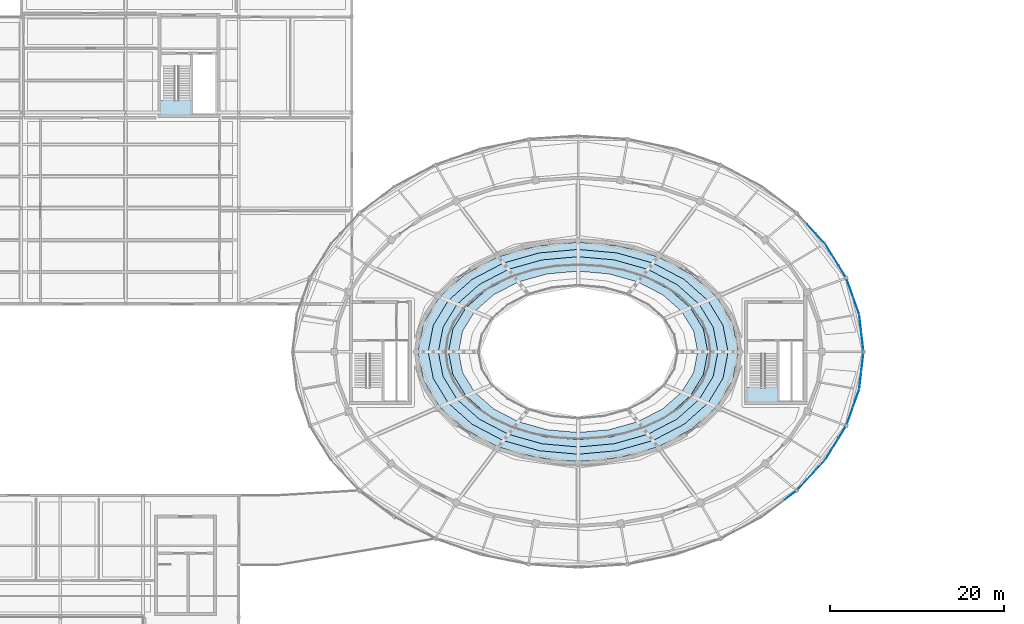
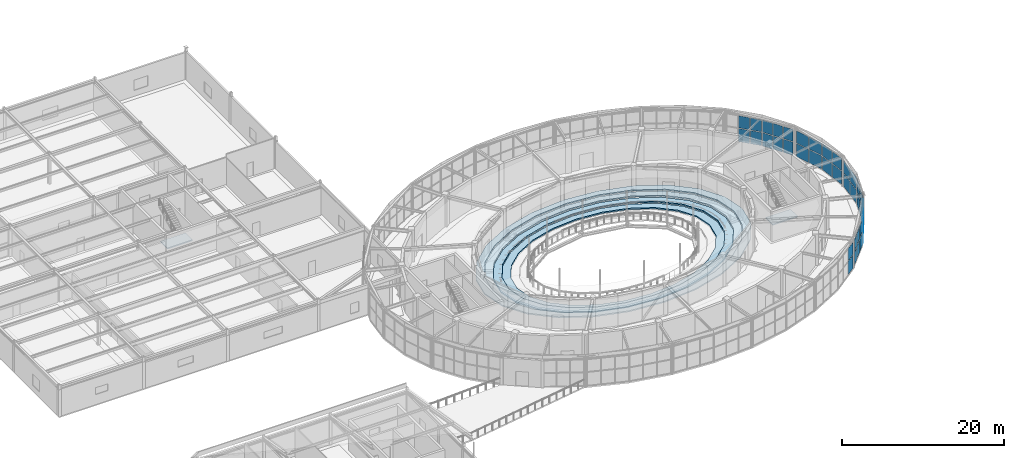
# One storey, part 81 of 108: 40 plates, 6 slabs, 11 elements without a shape of their own.
"""IFC4 building model written with IfcOpenShell, lengths in metres."""

from ifc_helpers import new_model, si_unit, direction, frame, origin, origin_2d, place, context, subcontext, project, spatial, polyline, rectangle, outline, extrude, material, layer, layer_set, type_object, element, aggregate, save


model = new_model("IFC4")

# Units and contexts
model_context = context("Model", 3, precision=1e-05, world=origin(), true_north=direction((0.0, 1.0)))
body_context = subcontext(model_context, "Body", "Model", "MODEL_VIEW")
ifc_project = project(units=[si_unit("LENGTHUNIT", "METRE"), si_unit("AREAUNIT", "SQUARE_METRE"), si_unit("VOLUMEUNIT", "CUBIC_METRE"), si_unit("PLANEANGLEUNIT", "RADIAN"), si_unit("MASSUNIT", "GRAM", prefix="KILO")], contexts=[model_context])

# Site, building, storey
site_placement = place(None, origin())
site = spatial("IfcSite", under=ifc_project, at=site_placement, CompositionType="ELEMENT")
building_placement = place(site_placement, origin())
building = spatial("IfcBuilding", under=site, at=building_placement, Name="Tarnveldt Headland Concert Hall", CompositionType="ELEMENT")
storey_placement = place(building_placement, frame((0.0, 0.0, 9.60009765625)))
storey = spatial("IfcBuildingStorey", under=building, at=storey_placement, Name="L02", CompositionType="ELEMENT", Elevation=9.60009765625)

# Curtain wall, plates
ifc_material_1 = material(Name="Marine-anodised aluminium EN AW-6063-T6", Category="aluminium")
curtain_wall_type = type_object("IfcCurtainWallType", Name="CW-F3", PredefinedType="NOTDEFINED", material=ifc_material_1)
curtain_wall_1_placement = place(storey_placement, origin())
curtain_wall_1 = element("IfcCurtainWall", 1, at=curtain_wall_1_placement, inside=storey, type_object=curtain_wall_type, Name="Curtain wall CW-L02-060", PredefinedType="NOTDEFINED")
ifc_material_2 = material(Name="Acoustic laminated low-iron double glazing", Category="glass")
ifc_layer_1 = layer(ifc_material_2, 0.028076171875, Name="Acoustic laminated low-iron double glazing", Category="glass")
ifc_layer_set_1 = layer_set([ifc_layer_1], Name="Acoustic laminated low-iron double glazing")
plate_type = type_object("IfcPlateType", Name="PN-F3", PredefinedType="CURTAIN_PANEL", material=ifc_layer_set_1)
plate_1_placement = place(storey_placement, frame((116.1591796875, 55.71728515625, 0.09228515625), z_axis=(0.0, 0.0, 1.0), x_axis=(-0.114937150493, 0.9933727656, 0.0)))
plate_1 = element("IfcPlate", 2, at=plate_1_placement, type_object=plate_type, Name="Glazed panel CW-L02-060-1-1", PredefinedType="CURTAIN_PANEL", context=body_context, shape_type="SweptSolid", body=[
    extrude(rectangle(XDim=1.937744140625, YDim=0.028076171875, at=origin_2d()), origin(), (0.0, 0.0, 1.0), 2.001220703125),
])
plate_2_placement = place(storey_placement, frame((116.1591796875, 55.71728515625, 2.178466796875), z_axis=(0.0, 0.0, 1.0), x_axis=(-0.114937150493, 0.9933727656, 0.0)))
plate_2 = element("IfcPlate", 3, at=plate_2_placement, type_object=plate_type, Name="Glazed panel CW-L02-060-1-2", PredefinedType="CURTAIN_PANEL", context=body_context, shape_type="SweptSolid", body=[
    extrude(rectangle(XDim=1.937744140625, YDim=0.028076171875, at=origin_2d()), origin(), (0.0, 0.0, 1.0), 1.8369140625),
])
plate_3_placement = place(storey_placement, frame((115.923828125, 57.750244140625, 0.09228515625), z_axis=(0.0, 0.0, 1.0), x_axis=(-0.114937150493, 0.9933727656, 0.0)))
plate_3 = element("IfcPlate", 4, at=plate_3_placement, type_object=plate_type, Name="Glazed panel CW-L02-060-2-1", PredefinedType="CURTAIN_PANEL", context=body_context, shape_type="SweptSolid", body=[
    extrude(rectangle(XDim=1.937744140625, YDim=0.028076171875, at=origin_2d()), origin(), (0.0, 0.0, 1.0), 2.001220703125),
])
plate_4_placement = place(storey_placement, frame((115.923828125, 57.750244140625, 2.178466796875), z_axis=(0.0, 0.0, 1.0), x_axis=(-0.114937150493, 0.9933727656, 0.0)))
plate_4 = element("IfcPlate", 5, at=plate_4_placement, type_object=plate_type, Name="Glazed panel CW-L02-060-2-2", PredefinedType="CURTAIN_PANEL", context=body_context, shape_type="SweptSolid", body=[
    extrude(rectangle(XDim=1.937744140625, YDim=0.028076171875, at=origin_2d()), origin(), (0.0, 0.0, 1.0), 1.8369140625),
])
aggregate(curtain_wall_1, [plate_1, plate_2, plate_3, plate_4])

curtain_wall_2_placement = place(storey_placement, origin())
curtain_wall_2 = element("IfcCurtainWall", 6, at=curtain_wall_2_placement, inside=storey, type_object=curtain_wall_type, Name="Curtain wall CW-L02-061", PredefinedType="NOTDEFINED")
plate_5_placement = place(storey_placement, frame((115.438720703125, 59.8310546875, 0.09228515625), z_axis=(0.0, 0.0, 1.0), x_axis=(-0.33402072921, 0.942565728455, 0.0)))
plate_5 = element("IfcPlate", 7, at=plate_5_placement, type_object=plate_type, Name="Glazed panel CW-L02-061-1-1", PredefinedType="CURTAIN_PANEL", context=body_context, shape_type="SweptSolid", body=[
    extrude(rectangle(XDim=1.985107421875, YDim=0.028076171875, at=origin_2d()), origin(), (0.0, 0.0, 1.0), 2.001220703125),
])
plate_6_placement = place(storey_placement, frame((115.438720703125, 59.8310546875, 2.178466796875), z_axis=(0.0, 0.0, 1.0), x_axis=(-0.33402072921, 0.942565728455, 0.0)))
plate_6 = element("IfcPlate", 8, at=plate_6_placement, type_object=plate_type, Name="Glazed panel CW-L02-061-1-2", PredefinedType="CURTAIN_PANEL", context=body_context, shape_type="SweptSolid", body=[
    extrude(rectangle(XDim=1.985107421875, YDim=0.028076171875, at=origin_2d()), origin(), (0.0, 0.0, 1.0), 1.8369140625),
])
plate_7_placement = place(storey_placement, frame((114.739013671875, 61.8046875, 0.09228515625), z_axis=(0.0, 0.0, 1.0), x_axis=(-0.33402072921, 0.942565728455, 0.0)))
plate_7 = element("IfcPlate", 9, at=plate_7_placement, type_object=plate_type, Name="Glazed panel CW-L02-061-2-1", PredefinedType="CURTAIN_PANEL", context=body_context, shape_type="SweptSolid", body=[
    extrude(rectangle(XDim=1.985107421875, YDim=0.028076171875, at=origin_2d()), origin(), (0.0, 0.0, 1.0), 2.001220703125),
])
plate_8_placement = place(storey_placement, frame((114.739013671875, 61.8046875, 2.178466796875), z_axis=(0.0, 0.0, 1.0), x_axis=(-0.33402072921, 0.942565728455, 0.0)))
plate_8 = element("IfcPlate", 10, at=plate_8_placement, type_object=plate_type, Name="Glazed panel CW-L02-061-2-2", PredefinedType="CURTAIN_PANEL", context=body_context, shape_type="SweptSolid", body=[
    extrude(rectangle(XDim=1.985107421875, YDim=0.028076171875, at=origin_2d()), origin(), (0.0, 0.0, 1.0), 1.8369140625),
])
aggregate(curtain_wall_2, [plate_5, plate_6, plate_7, plate_8])

curtain_wall_3_placement = place(storey_placement, origin())
curtain_wall_3 = element("IfcCurtainWall", 11, at=curtain_wall_3_placement, inside=storey, type_object=curtain_wall_type, Name="Curtain wall CW-L02-062", PredefinedType="NOTDEFINED")
plate_9_placement = place(storey_placement, frame((113.83447265625, 63.772705078125, 0.09228515625), z_axis=(0.0, 0.0, 1.0), x_axis=(-0.524922111703, 0.851150266783, 0.0)))
plate_9 = element("IfcPlate", 12, at=plate_9_placement, type_object=plate_type, Name="Glazed panel CW-L02-062-1-1", PredefinedType="CURTAIN_PANEL", context=body_context, shape_type="SweptSolid", body=[
    extrude(rectangle(XDim=1.3447265625, YDim=0.028076171875, at=origin_2d()), origin(), (0.0, 0.0, 1.0), 2.001220703125),
])
plate_10_placement = place(storey_placement, frame((113.83447265625, 63.772705078125, 2.178466796875), z_axis=(0.0, 0.0, 1.0), x_axis=(-0.524922111703, 0.851150266783, 0.0)))
plate_10 = element("IfcPlate", 13, at=plate_10_placement, type_object=plate_type, Name="Glazed panel CW-L02-062-1-2", PredefinedType="CURTAIN_PANEL", context=body_context, shape_type="SweptSolid", body=[
    extrude(rectangle(XDim=1.3447265625, YDim=0.028076171875, at=origin_2d()), origin(), (0.0, 0.0, 1.0), 1.8369140625),
])
plate_11_placement = place(storey_placement, frame((113.0712890625, 65.010009765625, 0.09228515625), z_axis=(0.0, 0.0, 1.0), x_axis=(-0.524922111703, 0.851150266783, 0.0)))
plate_11 = element("IfcPlate", 14, at=plate_11_placement, type_object=plate_type, Name="Glazed panel CW-L02-062-2-1", PredefinedType="CURTAIN_PANEL", context=body_context, shape_type="SweptSolid", body=[
    extrude(rectangle(XDim=1.3447265625, YDim=0.028076171875, at=origin_2d()), origin(), (0.0, 0.0, 1.0), 2.001220703125),
])
plate_12_placement = place(storey_placement, frame((113.0712890625, 65.010009765625, 2.178466796875), z_axis=(0.0, 0.0, 1.0), x_axis=(-0.524922111703, 0.851150266783, 0.0)))
plate_12 = element("IfcPlate", 15, at=plate_12_placement, type_object=plate_type, Name="Glazed panel CW-L02-062-2-2", PredefinedType="CURTAIN_PANEL", context=body_context, shape_type="SweptSolid", body=[
    extrude(rectangle(XDim=1.3447265625, YDim=0.028076171875, at=origin_2d()), origin(), (0.0, 0.0, 1.0), 1.8369140625),
])
plate_13_placement = place(storey_placement, frame((112.30810546875, 66.247314453125, 0.09228515625), z_axis=(0.0, 0.0, 1.0), x_axis=(-0.524922111703, 0.851150266783, 0.0)))
plate_13 = element("IfcPlate", 16, at=plate_13_placement, type_object=plate_type, Name="Glazed panel CW-L02-062-3-1", PredefinedType="CURTAIN_PANEL", context=body_context, shape_type="SweptSolid", body=[
    extrude(rectangle(XDim=1.3447265625, YDim=0.028076171875, at=origin_2d()), origin(), (0.0, 0.0, 1.0), 2.001220703125),
])
plate_14_placement = place(storey_placement, frame((112.30810546875, 66.247314453125, 2.178466796875), z_axis=(0.0, 0.0, 1.0), x_axis=(-0.524922111703, 0.851150266783, 0.0)))
plate_14 = element("IfcPlate", 17, at=plate_14_placement, type_object=plate_type, Name="Glazed panel CW-L02-062-3-2", PredefinedType="CURTAIN_PANEL", context=body_context, shape_type="SweptSolid", body=[
    extrude(rectangle(XDim=1.3447265625, YDim=0.028076171875, at=origin_2d()), origin(), (0.0, 0.0, 1.0), 1.8369140625),
])
aggregate(curtain_wall_3, [plate_9, plate_10, plate_11, plate_12, plate_13, plate_14])

curtain_wall_4_placement = place(storey_placement, origin())
curtain_wall_4 = element("IfcCurtainWall", 18, at=curtain_wall_4_placement, inside=storey, type_object=curtain_wall_type, Name="Curtain wall CW-L02-063", PredefinedType="NOTDEFINED")
plate_15_placement = place(storey_placement, frame((111.359375, 67.489990234375, 0.09228515625), z_axis=(0.0, 0.0, 1.0), x_axis=(-0.679466915851, 0.73370614708, 0.0)))
plate_15 = element("IfcPlate", 19, at=plate_15_placement, type_object=plate_type, Name="Glazed panel CW-L02-063-1-1", PredefinedType="CURTAIN_PANEL", context=body_context, shape_type="SweptSolid", body=[
    extrude(rectangle(XDim=1.419189453125, YDim=0.028076171875, at=origin_2d()), origin(), (0.0, 0.0, 1.0), 2.001220703125),
])
plate_16_placement = place(storey_placement, frame((111.359375, 67.489990234375, 2.178466796875), z_axis=(0.0, 0.0, 1.0), x_axis=(-0.679466915851, 0.73370614708, 0.0)))
plate_16 = element("IfcPlate", 20, at=plate_16_placement, type_object=plate_type, Name="Glazed panel CW-L02-063-1-2", PredefinedType="CURTAIN_PANEL", context=body_context, shape_type="SweptSolid", body=[
    extrude(rectangle(XDim=1.419189453125, YDim=0.028076171875, at=origin_2d()), origin(), (0.0, 0.0, 1.0), 1.8369140625),
])
plate_17_placement = place(storey_placement, frame((110.32080078125, 68.611083984375, 0.09228515625), z_axis=(0.0, 0.0, 1.0), x_axis=(-0.679466915851, 0.73370614708, 0.0)))
plate_17 = element("IfcPlate", 21, at=plate_17_placement, type_object=plate_type, Name="Glazed panel CW-L02-063-2-1", PredefinedType="CURTAIN_PANEL", context=body_context, shape_type="SweptSolid", body=[
    extrude(rectangle(XDim=1.419189453125, YDim=0.028076171875, at=origin_2d()), origin(), (0.0, 0.0, 1.0), 2.001220703125),
])
plate_18_placement = place(storey_placement, frame((110.32080078125, 68.611083984375, 2.178466796875), z_axis=(0.0, 0.0, 1.0), x_axis=(-0.679466915851, 0.73370614708, 0.0)))
plate_18 = element("IfcPlate", 22, at=plate_18_placement, type_object=plate_type, Name="Glazed panel CW-L02-063-2-2", PredefinedType="CURTAIN_PANEL", context=body_context, shape_type="SweptSolid", body=[
    extrude(rectangle(XDim=1.419189453125, YDim=0.028076171875, at=origin_2d()), origin(), (0.0, 0.0, 1.0), 1.8369140625),
])
aggregate(curtain_wall_4, [plate_15, plate_16, plate_17, plate_18])

curtain_wall_5_placement = place(storey_placement, origin())
curtain_wall_5 = element("IfcCurtainWall", 23, at=curtain_wall_5_placement, inside=storey, type_object=curtain_wall_type, Name="Curtain wall CW-L02-090", PredefinedType="NOTDEFINED")
plate_19_placement = place(storey_placement, frame((107.823486328125, 37.951904296875, 0.09228515625), z_axis=(0.0, 0.0, 1.0), x_axis=(0.797657618631, 0.603110539984, 0.0)))
plate_19 = element("IfcPlate", 24, at=plate_19_placement, type_object=plate_type, Name="Glazed panel CW-L02-090-3-1", PredefinedType="CURTAIN_PANEL", context=body_context, shape_type="SweptSolid", body=[
    extrude(rectangle(XDim=1.499755859375, YDim=0.028076171875, at=origin_2d()), origin(), (0.0, 0.0, 1.0), 2.001220703125),
])
plate_20_placement = place(storey_placement, frame((107.823486328125, 37.951904296875, 2.178466796875), z_axis=(0.0, 0.0, 1.0), x_axis=(0.797657618631, 0.603110539984, 0.0)))
plate_20 = element("IfcPlate", 25, at=plate_20_placement, type_object=plate_type, Name="Glazed panel CW-L02-090-3-2", PredefinedType="CURTAIN_PANEL", context=body_context, shape_type="SweptSolid", body=[
    extrude(rectangle(XDim=1.499755859375, YDim=0.028076171875, at=origin_2d()), origin(), (0.0, 0.0, 1.0), 1.8369140625),
])
aggregate(curtain_wall_5, [plate_19, plate_20])

curtain_wall_6_placement = place(storey_placement, origin())
curtain_wall_6 = element("IfcCurtainWall", 26, at=curtain_wall_6_placement, inside=storey, type_object=curtain_wall_type, Name="Curtain wall CW-L02-091", PredefinedType="NOTDEFINED")
plate_21_placement = place(storey_placement, frame((109.28271484375, 39.267578125, 0.09228515625), z_axis=(0.0, 0.0, 1.0), x_axis=(0.679466915851, 0.73370614708, 0.0)))
plate_21 = element("IfcPlate", 27, at=plate_21_placement, type_object=plate_type, Name="Glazed panel CW-L02-091-1-1", PredefinedType="CURTAIN_PANEL", context=body_context, shape_type="SweptSolid", body=[
    extrude(rectangle(XDim=1.419189453125, YDim=0.028076171875, at=origin_2d()), origin(), (0.0, 0.0, 1.0), 2.001220703125),
])
plate_22_placement = place(storey_placement, frame((109.28271484375, 39.267578125, 2.178466796875), z_axis=(0.0, 0.0, 1.0), x_axis=(0.679466915851, 0.73370614708, 0.0)))
plate_22 = element("IfcPlate", 28, at=plate_22_placement, type_object=plate_type, Name="Glazed panel CW-L02-091-1-2", PredefinedType="CURTAIN_PANEL", context=body_context, shape_type="SweptSolid", body=[
    extrude(rectangle(XDim=1.419189453125, YDim=0.028076171875, at=origin_2d()), origin(), (0.0, 0.0, 1.0), 1.8369140625),
])
plate_23_placement = place(storey_placement, frame((110.32080078125, 40.388916015625, 0.09228515625), z_axis=(0.0, 0.0, 1.0), x_axis=(0.679466915851, 0.73370614708, 0.0)))
plate_23 = element("IfcPlate", 29, at=plate_23_placement, type_object=plate_type, Name="Glazed panel CW-L02-091-2-1", PredefinedType="CURTAIN_PANEL", context=body_context, shape_type="SweptSolid", body=[
    extrude(rectangle(XDim=1.419189453125, YDim=0.028076171875, at=origin_2d()), origin(), (0.0, 0.0, 1.0), 2.001220703125),
])
plate_24_placement = place(storey_placement, frame((110.32080078125, 40.388916015625, 2.178466796875), z_axis=(0.0, 0.0, 1.0), x_axis=(0.679466915851, 0.73370614708, 0.0)))
plate_24 = element("IfcPlate", 30, at=plate_24_placement, type_object=plate_type, Name="Glazed panel CW-L02-091-2-2", PredefinedType="CURTAIN_PANEL", context=body_context, shape_type="SweptSolid", body=[
    extrude(rectangle(XDim=1.419189453125, YDim=0.028076171875, at=origin_2d()), origin(), (0.0, 0.0, 1.0), 1.8369140625),
])
plate_25_placement = place(storey_placement, frame((111.359375, 41.510009765625, 0.09228515625), z_axis=(0.0, 0.0, 1.0), x_axis=(0.679466915851, 0.73370614708, 0.0)))
plate_25 = element("IfcPlate", 31, at=plate_25_placement, type_object=plate_type, Name="Glazed panel CW-L02-091-3-1", PredefinedType="CURTAIN_PANEL", context=body_context, shape_type="SweptSolid", body=[
    extrude(rectangle(XDim=1.419189453125, YDim=0.028076171875, at=origin_2d()), origin(), (0.0, 0.0, 1.0), 2.001220703125),
])
plate_26_placement = place(storey_placement, frame((111.359375, 41.510009765625, 2.178466796875), z_axis=(0.0, 0.0, 1.0), x_axis=(0.679466915851, 0.73370614708, 0.0)))
plate_26 = element("IfcPlate", 32, at=plate_26_placement, type_object=plate_type, Name="Glazed panel CW-L02-091-3-2", PredefinedType="CURTAIN_PANEL", context=body_context, shape_type="SweptSolid", body=[
    extrude(rectangle(XDim=1.419189453125, YDim=0.028076171875, at=origin_2d()), origin(), (0.0, 0.0, 1.0), 1.8369140625),
])
aggregate(curtain_wall_6, [plate_21, plate_22, plate_23, plate_24, plate_25, plate_26])

curtain_wall_7_placement = place(storey_placement, origin())
curtain_wall_7 = element("IfcCurtainWall", 33, at=curtain_wall_7_placement, inside=storey, type_object=curtain_wall_type, Name="Curtain wall CW-L02-092", PredefinedType="NOTDEFINED")
plate_27_placement = place(storey_placement, frame((112.30810546875, 42.752685546875, 0.09228515625), z_axis=(0.0, 0.0, 1.0), x_axis=(0.524922111703, 0.851150266783, 0.0)))
plate_27 = element("IfcPlate", 34, at=plate_27_placement, type_object=plate_type, Name="Glazed panel CW-L02-092-1-1", PredefinedType="CURTAIN_PANEL", context=body_context, shape_type="SweptSolid", body=[
    extrude(rectangle(XDim=1.3447265625, YDim=0.028076171875, at=origin_2d()), origin(), (0.0, 0.0, 1.0), 2.001220703125),
])
plate_28_placement = place(storey_placement, frame((112.30810546875, 42.752685546875, 2.178466796875), z_axis=(0.0, 0.0, 1.0), x_axis=(0.524922111703, 0.851150266783, 0.0)))
plate_28 = element("IfcPlate", 35, at=plate_28_placement, type_object=plate_type, Name="Glazed panel CW-L02-092-1-2", PredefinedType="CURTAIN_PANEL", context=body_context, shape_type="SweptSolid", body=[
    extrude(rectangle(XDim=1.3447265625, YDim=0.028076171875, at=origin_2d()), origin(), (0.0, 0.0, 1.0), 1.8369140625),
])
plate_29_placement = place(storey_placement, frame((113.0712890625, 43.989990234375, 0.09228515625), z_axis=(0.0, 0.0, 1.0), x_axis=(0.524922111703, 0.851150266783, 0.0)))
plate_29 = element("IfcPlate", 36, at=plate_29_placement, type_object=plate_type, Name="Glazed panel CW-L02-092-2-1", PredefinedType="CURTAIN_PANEL", context=body_context, shape_type="SweptSolid", body=[
    extrude(rectangle(XDim=1.3447265625, YDim=0.028076171875, at=origin_2d()), origin(), (0.0, 0.0, 1.0), 2.001220703125),
])
plate_30_placement = place(storey_placement, frame((113.0712890625, 43.989990234375, 2.178466796875), z_axis=(0.0, 0.0, 1.0), x_axis=(0.524922111703, 0.851150266783, 0.0)))
plate_30 = element("IfcPlate", 37, at=plate_30_placement, type_object=plate_type, Name="Glazed panel CW-L02-092-2-2", PredefinedType="CURTAIN_PANEL", context=body_context, shape_type="SweptSolid", body=[
    extrude(rectangle(XDim=1.3447265625, YDim=0.028076171875, at=origin_2d()), origin(), (0.0, 0.0, 1.0), 1.8369140625),
])
plate_31_placement = place(storey_placement, frame((113.83447265625, 45.227294921875, 0.09228515625), z_axis=(0.0, 0.0, 1.0), x_axis=(0.524922111703, 0.851150266783, 0.0)))
plate_31 = element("IfcPlate", 38, at=plate_31_placement, type_object=plate_type, Name="Glazed panel CW-L02-092-3-1", PredefinedType="CURTAIN_PANEL", context=body_context, shape_type="SweptSolid", body=[
    extrude(rectangle(XDim=1.3447265625, YDim=0.028076171875, at=origin_2d()), origin(), (0.0, 0.0, 1.0), 2.001220703125),
])
plate_32_placement = place(storey_placement, frame((113.83447265625, 45.227294921875, 2.178466796875), z_axis=(0.0, 0.0, 1.0), x_axis=(0.524922111703, 0.851150266783, 0.0)))
plate_32 = element("IfcPlate", 39, at=plate_32_placement, type_object=plate_type, Name="Glazed panel CW-L02-092-3-2", PredefinedType="CURTAIN_PANEL", context=body_context, shape_type="SweptSolid", body=[
    extrude(rectangle(XDim=1.3447265625, YDim=0.028076171875, at=origin_2d()), origin(), (0.0, 0.0, 1.0), 1.8369140625),
])
aggregate(curtain_wall_7, [plate_27, plate_28, plate_29, plate_30, plate_31, plate_32])

curtain_wall_8_placement = place(storey_placement, origin())
curtain_wall_8 = element("IfcCurtainWall", 40, at=curtain_wall_8_placement, inside=storey, type_object=curtain_wall_type, Name="Curtain wall CW-L02-093", PredefinedType="NOTDEFINED")
plate_33_placement = place(storey_placement, frame((114.739013671875, 47.1953125, 0.09228515625), z_axis=(0.0, 0.0, 1.0), x_axis=(0.33402072921, 0.942565728455, 0.0)))
plate_33 = element("IfcPlate", 41, at=plate_33_placement, type_object=plate_type, Name="Glazed panel CW-L02-093-1-1", PredefinedType="CURTAIN_PANEL", context=body_context, shape_type="SweptSolid", body=[
    extrude(rectangle(XDim=1.985107421875, YDim=0.028076171875, at=origin_2d()), origin(), (0.0, 0.0, 1.0), 2.001220703125),
])
plate_34_placement = place(storey_placement, frame((114.739013671875, 47.1953125, 2.178466796875), z_axis=(0.0, 0.0, 1.0), x_axis=(0.33402072921, 0.942565728455, 0.0)))
plate_34 = element("IfcPlate", 42, at=plate_34_placement, type_object=plate_type, Name="Glazed panel CW-L02-093-1-2", PredefinedType="CURTAIN_PANEL", context=body_context, shape_type="SweptSolid", body=[
    extrude(rectangle(XDim=1.985107421875, YDim=0.028076171875, at=origin_2d()), origin(), (0.0, 0.0, 1.0), 1.8369140625),
])
plate_35_placement = place(storey_placement, frame((115.438720703125, 49.1689453125, 0.09228515625), z_axis=(0.0, 0.0, 1.0), x_axis=(0.33402072921, 0.942565728455, 0.0)))
plate_35 = element("IfcPlate", 43, at=plate_35_placement, type_object=plate_type, Name="Glazed panel CW-L02-093-2-1", PredefinedType="CURTAIN_PANEL", context=body_context, shape_type="SweptSolid", body=[
    extrude(rectangle(XDim=1.985107421875, YDim=0.028076171875, at=origin_2d()), origin(), (0.0, 0.0, 1.0), 2.001220703125),
])
plate_36_placement = place(storey_placement, frame((115.438720703125, 49.1689453125, 2.178466796875), z_axis=(0.0, 0.0, 1.0), x_axis=(0.33402072921, 0.942565728455, 0.0)))
plate_36 = element("IfcPlate", 44, at=plate_36_placement, type_object=plate_type, Name="Glazed panel CW-L02-093-2-2", PredefinedType="CURTAIN_PANEL", context=body_context, shape_type="SweptSolid", body=[
    extrude(rectangle(XDim=1.985107421875, YDim=0.028076171875, at=origin_2d()), origin(), (0.0, 0.0, 1.0), 1.8369140625),
])
aggregate(curtain_wall_8, [plate_33, plate_34, plate_35, plate_36])

curtain_wall_9_placement = place(storey_placement, origin())
curtain_wall_9 = element("IfcCurtainWall", 45, at=curtain_wall_9_placement, inside=storey, type_object=curtain_wall_type, Name="Curtain wall CW-L02-094", PredefinedType="NOTDEFINED")
plate_37_placement = place(storey_placement, frame((115.923828125, 51.249755859375, 0.09228515625), z_axis=(0.0, 0.0, 1.0), x_axis=(0.114937150493, 0.9933727656, 0.0)))
plate_37 = element("IfcPlate", 46, at=plate_37_placement, type_object=plate_type, Name="Glazed panel CW-L02-094-1-1", PredefinedType="CURTAIN_PANEL", context=body_context, shape_type="SweptSolid", body=[
    extrude(rectangle(XDim=1.937744140625, YDim=0.028076171875, at=origin_2d()), origin(), (0.0, 0.0, 1.0), 2.001220703125),
])
plate_38_placement = place(storey_placement, frame((115.923828125, 51.249755859375, 2.178466796875), z_axis=(0.0, 0.0, 1.0), x_axis=(0.114937150493, 0.9933727656, 0.0)))
plate_38 = element("IfcPlate", 47, at=plate_38_placement, type_object=plate_type, Name="Glazed panel CW-L02-094-1-2", PredefinedType="CURTAIN_PANEL", context=body_context, shape_type="SweptSolid", body=[
    extrude(rectangle(XDim=1.937744140625, YDim=0.028076171875, at=origin_2d()), origin(), (0.0, 0.0, 1.0), 1.8369140625),
])
plate_39_placement = place(storey_placement, frame((116.1591796875, 53.28271484375, 0.09228515625), z_axis=(0.0, 0.0, 1.0), x_axis=(0.114937150493, 0.9933727656, 0.0)))
plate_39 = element("IfcPlate", 48, at=plate_39_placement, type_object=plate_type, Name="Glazed panel CW-L02-094-2-1", PredefinedType="CURTAIN_PANEL", context=body_context, shape_type="SweptSolid", body=[
    extrude(rectangle(XDim=1.937744140625, YDim=0.028076171875, at=origin_2d()), origin(), (0.0, 0.0, 1.0), 2.001220703125),
])
plate_40_placement = place(storey_placement, frame((116.1591796875, 53.28271484375, 2.178466796875), z_axis=(0.0, 0.0, 1.0), x_axis=(0.114937150493, 0.9933727656, 0.0)))
plate_40 = element("IfcPlate", 49, at=plate_40_placement, type_object=plate_type, Name="Glazed panel CW-L02-094-2-2", PredefinedType="CURTAIN_PANEL", context=body_context, shape_type="SweptSolid", body=[
    extrude(rectangle(XDim=1.937744140625, YDim=0.028076171875, at=origin_2d()), origin(), (0.0, 0.0, 1.0), 1.8369140625),
])
aggregate(curtain_wall_9, [plate_37, plate_38, plate_39, plate_40])

# Stair, slab
ifc_material_3 = material(Name="Concrete C40/50", Category="concrete")
stair_type = type_object("IfcStairType", Name="ST-CORE480", PredefinedType="HALF_TURN_STAIR", material=ifc_material_3)
stair_1_placement = place(storey_placement, origin())
stair_1 = element("IfcStair", 50, at=stair_1_placement, inside=storey, type_object=stair_type, Name="Exit stair STR-C2-L02", PredefinedType="HALF_TURN_STAIR")
ifc_layer_2 = layer(ifc_material_3, 0.179931640625, Name="Concrete C40/50", Category="concrete")
ifc_layer_set_2 = layer_set([ifc_layer_2], Name="Concrete C40/50")
slab_type_1 = type_object("IfcSlabType", Name="SL-STLND180", PredefinedType="LANDING", material=ifc_layer_set_2)
slab_1_placement = place(storey_placement, frame((0.0, 0.0, 2.219970703125)))
slab_1 = element("IfcSlab", 51, at=slab_1_placement, type_object=slab_type_1, Name="Stair half-landing STR-C2-L02", PredefinedType="LANDING", context=body_context, shape_type="SweptSolid", body=[
    extrude(outline(polyline([(102.919921875, 48.719970703125), (106.47998046875, 48.719970703125), (106.47998046875, 50.43994140625), (102.919921875, 50.43994140625), (102.919921875, 48.719970703125)])), origin(), (0.0, 0.0, 1.0), 0.179931640625),
])
aggregate(stair_1, [slab_1])

stair_2_placement = place(storey_placement, origin())
stair_2 = element("IfcStair", 52, at=stair_2_placement, inside=storey, type_object=stair_type, Name="Exit stair STR-C6-L02", PredefinedType="HALF_TURN_STAIR")
slab_2_placement = place(storey_placement, frame((0.0, 0.0, 2.219970703125)))
slab_2 = element("IfcSlab", 53, at=slab_2_placement, type_object=slab_type_1, Name="Stair half-landing STR-C6-L02", PredefinedType="LANDING", context=body_context, shape_type="SweptSolid", body=[
    extrude(outline(polyline([(35.52001953125, 81.719970703125), (39.080078125, 81.719970703125), (39.080078125, 83.43994140625), (35.52001953125, 83.43994140625), (35.52001953125, 81.719970703125)])), origin(), (0.0, 0.0, 1.0), 0.179931640625),
])
aggregate(stair_2, [slab_2])

# Slabs
ifc_layer_3 = layer(ifc_material_3, 0.18994140625, Name="Concrete C40/50", Category="concrete")
ifc_layer_set_3 = layer_set([ifc_layer_3], Name="Concrete C40/50")
slab_type_2 = type_object("IfcSlabType", Name="ST-TIER190", PredefinedType="USERDEFINED", material=ifc_layer_set_3)
slab_3_placement = place(storey_placement, frame((0.0, 0.0, 0.64990234375)))
element("IfcSlab", 54, at=slab_3_placement, inside=storey, type_object=slab_type_2, Name="Stand L02 vineyard seating tier 3 vomitory", ObjectType="SEATING TIER", PredefinedType="USERDEFINED", context=body_context, shape_type="SweptSolid", body=[
    extrude(outline(polyline([(98.39990234375, 54.5), (97.892333984375, 57.114013671875), (96.40380859375, 59.550048828125), (94.035888671875, 61.641845703125), (90.949951171875, 63.246826171875), (87.3564453125, 64.255859375), (83.5, 64.60009765625), (79.6435546875, 64.255859375), (76.050048828125, 63.246826171875), (72.964111328125, 61.641845703125), (70.59619140625, 59.550048828125), (69.107666015625, 57.114013671875), (68.60009765625, 54.5), (69.107666015625, 51.885986328125), (70.59619140625, 49.449951171875), (72.964111328125, 47.358154296875), (76.050048828125, 45.753173828125), (79.6435546875, 44.744140625), (83.5, 44.39990234375), (87.3564453125, 44.744140625), (90.949951171875, 45.753173828125), (94.035888671875, 47.358154296875), (96.40380859375, 49.449951171875), (97.892333984375, 51.885986328125), (98.39990234375, 54.5)]), holes=[polyline([(96.765380859375, 52.1015625), (95.393310546875, 49.86669921875), (93.2109375, 47.947509765625), (90.36669921875, 46.474853515625), (87.054443359375, 45.549072265625), (83.5, 45.2333984375), (79.945556640625, 45.549072265625), (76.63330078125, 46.474853515625), (73.7890625, 47.947509765625), (71.606689453125, 49.86669921875), (70.234619140625, 52.1015625), (69.7666015625, 54.5), (70.234619140625, 56.8984375), (71.606689453125, 59.13330078125), (73.7890625, 61.052490234375), (76.63330078125, 62.525146484375), (79.945556640625, 63.450927734375), (83.5, 63.7666015625), (87.054443359375, 63.450927734375), (90.36669921875, 62.525146484375), (93.2109375, 61.052490234375), (95.393310546875, 59.13330078125), (96.765380859375, 56.8984375), (97.2333984375, 54.5), (96.765380859375, 52.1015625)])]), origin(), (0.0, 0.0, 1.0), 0.18994140625),
])
slab_4_placement = place(storey_placement, frame((0.0, 0.0, 0.929931640625)))
element("IfcSlab", 55, at=slab_4_placement, inside=storey, type_object=slab_type_2, Name="Stand L02 vineyard seating tier 4 vomitory", ObjectType="SEATING TIER", PredefinedType="USERDEFINED", context=body_context, shape_type="SweptSolid", body=[
    extrude(outline(polyline([(99.566650390625, 54.5), (99.019287109375, 57.329833984375), (97.4140625, 59.966796875), (94.86083984375, 62.23095703125), (91.533203125, 63.968505859375), (87.658447265625, 65.060791015625), (83.5, 65.433349609375), (79.341552734375, 65.060791015625), (75.466796875, 63.968505859375), (72.13916015625, 62.23095703125), (69.5859375, 59.966796875), (67.980712890625, 57.329833984375), (67.433349609375, 54.5), (67.980712890625, 51.670166015625), (69.5859375, 49.033203125), (72.13916015625, 46.76904296875), (75.466796875, 45.031494140625), (79.341552734375, 43.939208984375), (83.5, 43.566650390625), (87.658447265625, 43.939208984375), (91.533203125, 45.031494140625), (94.86083984375, 46.76904296875), (97.4140625, 49.033203125), (99.019287109375, 51.670166015625), (99.566650390625, 54.5)]), holes=[polyline([(97.892333984375, 51.885986328125), (96.40380859375, 49.449951171875), (94.035888671875, 47.358154296875), (90.949951171875, 45.753173828125), (87.3564453125, 44.744140625), (83.5, 44.39990234375), (79.6435546875, 44.744140625), (76.050048828125, 45.753173828125), (72.964111328125, 47.358154296875), (70.59619140625, 49.449951171875), (69.107666015625, 51.885986328125), (68.60009765625, 54.5), (69.107666015625, 57.114013671875), (70.59619140625, 59.550048828125), (72.964111328125, 61.641845703125), (76.050048828125, 63.246826171875), (79.6435546875, 64.255859375), (83.5, 64.60009765625), (87.3564453125, 64.255859375), (90.949951171875, 63.246826171875), (94.035888671875, 61.641845703125), (96.40380859375, 59.550048828125), (97.892333984375, 57.114013671875), (98.39990234375, 54.5), (97.892333984375, 51.885986328125)])]), origin(), (0.0, 0.0, 1.0), 0.18994140625),
])
slab_5_placement = place(storey_placement, frame((0.0, 0.0, 1.2099609375)))
element("IfcSlab", 56, at=slab_5_placement, inside=storey, type_object=slab_type_2, Name="Stand L02 vineyard seating tier 5 vomitory", ObjectType="SEATING TIER", PredefinedType="USERDEFINED", context=body_context, shape_type="SweptSolid", body=[
    extrude(outline(polyline([(100.7333984375, 54.5), (100.14599609375, 57.54541015625), (98.424560546875, 60.38330078125), (95.685791015625, 62.8203125), (92.11669921875, 64.690185546875), (87.960205078125, 65.86572265625), (83.5, 66.2666015625), (79.039794921875, 65.86572265625), (74.88330078125, 64.690185546875), (71.314208984375, 62.8203125), (68.575439453125, 60.38330078125), (66.85400390625, 57.54541015625), (66.2666015625, 54.5), (66.85400390625, 51.45458984375), (68.575439453125, 48.61669921875), (71.314208984375, 46.1796875), (74.88330078125, 44.309814453125), (79.039794921875, 43.13427734375), (83.5, 42.7333984375), (87.960205078125, 43.13427734375), (92.11669921875, 44.309814453125), (95.685791015625, 46.1796875), (98.424560546875, 48.61669921875), (100.14599609375, 51.45458984375), (100.7333984375, 54.5)]), holes=[polyline([(99.019287109375, 51.670166015625), (97.4140625, 49.033203125), (94.86083984375, 46.76904296875), (91.533203125, 45.031494140625), (87.658447265625, 43.939208984375), (83.5, 43.566650390625), (79.341552734375, 43.939208984375), (75.466796875, 45.031494140625), (72.13916015625, 46.76904296875), (69.5859375, 49.033203125), (67.980712890625, 51.670166015625), (67.433349609375, 54.5), (67.980712890625, 57.329833984375), (69.5859375, 59.966796875), (72.13916015625, 62.23095703125), (75.466796875, 63.968505859375), (79.341552734375, 65.060791015625), (83.5, 65.433349609375), (87.658447265625, 65.060791015625), (91.533203125, 63.968505859375), (94.86083984375, 62.23095703125), (97.4140625, 59.966796875), (99.019287109375, 57.329833984375), (99.566650390625, 54.5), (99.019287109375, 51.670166015625)])]), origin(), (0.0, 0.0, 1.0), 0.18994140625),
])
slab_6_placement = place(storey_placement, frame((0.0, 0.0, 1.489990234375)))
element("IfcSlab", 57, at=slab_6_placement, inside=storey, type_object=slab_type_2, Name="Stand L02 vineyard seating tier 6 vomitory", ObjectType="SEATING TIER", PredefinedType="USERDEFINED", context=body_context, shape_type="SweptSolid", body=[
    extrude(outline(polyline([(101.89990234375, 54.5), (101.27294921875, 57.760986328125), (99.434814453125, 60.800048828125), (96.5107421875, 63.409423828125), (92.699951171875, 65.411865234375), (88.26220703125, 66.670654296875), (83.5, 67.10009765625), (78.73779296875, 66.670654296875), (74.300048828125, 65.411865234375), (70.4892578125, 63.409423828125), (67.565185546875, 60.800048828125), (65.72705078125, 57.760986328125), (65.10009765625, 54.5), (65.72705078125, 51.239013671875), (67.565185546875, 48.199951171875), (70.4892578125, 45.590576171875), (74.300048828125, 43.588134765625), (78.73779296875, 42.329345703125), (83.5, 41.89990234375), (88.26220703125, 42.329345703125), (92.699951171875, 43.588134765625), (96.5107421875, 45.590576171875), (99.434814453125, 48.199951171875), (101.27294921875, 51.239013671875), (101.89990234375, 54.5)]), holes=[polyline([(100.14599609375, 51.45458984375), (98.424560546875, 48.61669921875), (95.685791015625, 46.1796875), (92.11669921875, 44.309814453125), (87.960205078125, 43.13427734375), (83.5, 42.7333984375), (79.039794921875, 43.13427734375), (74.88330078125, 44.309814453125), (71.314208984375, 46.1796875), (68.575439453125, 48.61669921875), (66.85400390625, 51.45458984375), (66.2666015625, 54.5), (66.85400390625, 57.54541015625), (68.575439453125, 60.38330078125), (71.314208984375, 62.8203125), (74.88330078125, 64.690185546875), (79.039794921875, 65.86572265625), (83.5, 66.2666015625), (87.960205078125, 65.86572265625), (92.11669921875, 64.690185546875), (95.685791015625, 62.8203125), (98.424560546875, 60.38330078125), (100.14599609375, 57.54541015625), (100.7333984375, 54.5), (100.14599609375, 51.45458984375)])]), origin(), (0.0, 0.0, 1.0), 0.18994140625),
])

save(model, "model.ifc")
